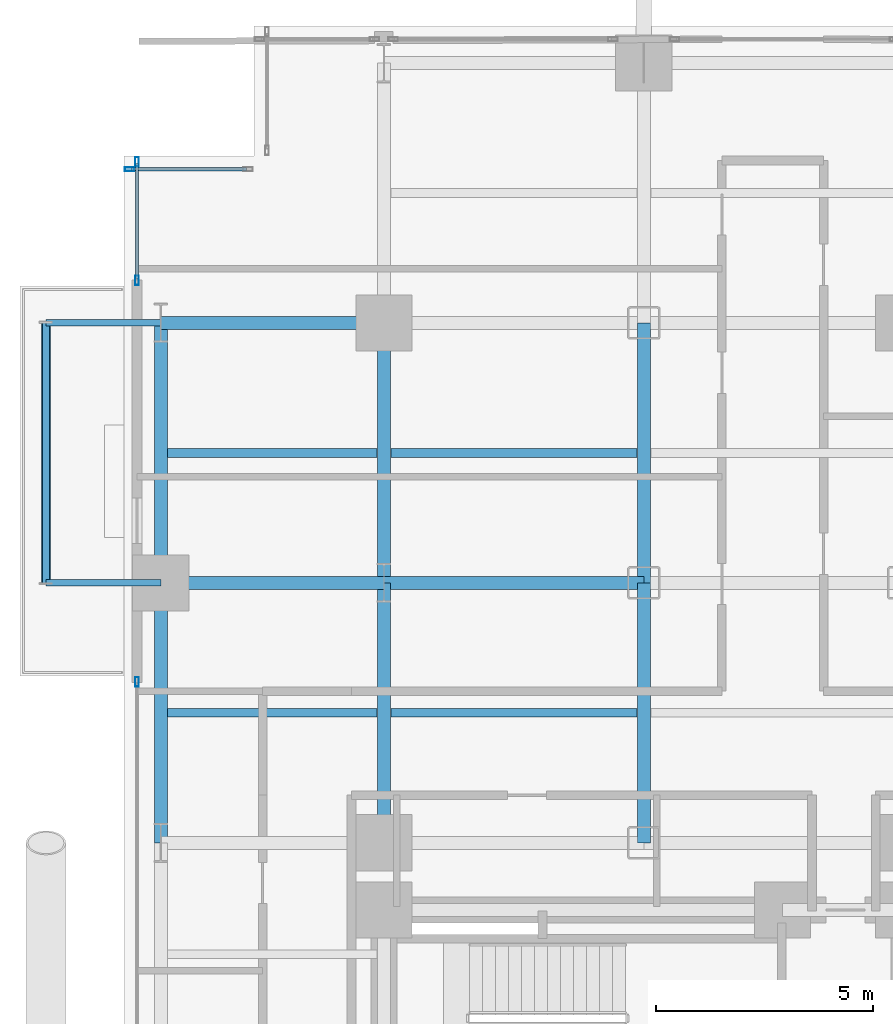
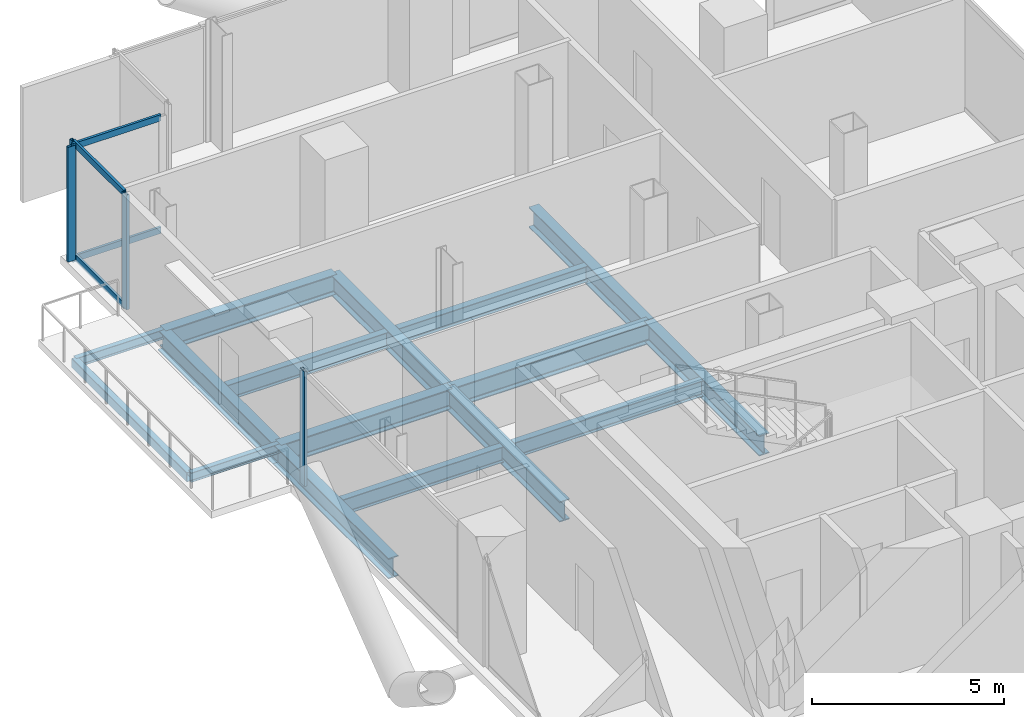
# One storey, part 13 of 27: 16 beams, 8 members, 3 elements without a shape of their own.
"""IFC4 building model written with IfcOpenShell, lengths in metres."""

from ifc_helpers import new_model, si_unit, direction, frame, origin, origin_2d, place, context, subcontext, project, spatial, hollow_rectangle, i_section, extrude, material, layer, layer_set, material_profile, profile_set, type_object, element, aggregate, save


model = new_model("IFC4")

# Units and contexts
model_context = context("Model", 3, precision=1e-05, world=origin(), true_north=direction((0.0, 1.0)))
body_context = subcontext(model_context, "Body", "Model", "MODEL_VIEW")
ifc_project = project(units=[si_unit("LENGTHUNIT", "METRE"), si_unit("AREAUNIT", "SQUARE_METRE"), si_unit("VOLUMEUNIT", "CUBIC_METRE"), si_unit("PLANEANGLEUNIT", "RADIAN"), si_unit("MASSUNIT", "GRAM", prefix="KILO"), si_unit("THERMODYNAMICTEMPERATUREUNIT", "KELVIN"), si_unit("POWERUNIT", "WATT")], contexts=[model_context])

# Site, building, storey
site_placement = place(None, origin())
site = spatial("IfcSite", under=ifc_project, at=site_placement, CompositionType="ELEMENT")
building_placement = place(site_placement, origin())
building = spatial("IfcBuilding", under=site, at=building_placement, Name="Svarakhadi Broadcast Tower", CompositionType="ELEMENT")
storey_placement = place(building_placement, frame((0.0, 0.0, 59.699951171875)))
storey = spatial("IfcBuildingStorey", under=building, at=storey_placement, Name="L13", CompositionType="ELEMENT", Elevation=59.699951171875)

# Beams
ifc_material_1 = material(Name="Steel S355J2 (IS 2062 E350C)", Category="steel")
ifc_material_profile_1 = material_profile(ifc_material_1, i_section(OverallWidth=0.199951171875, OverallDepth=0.5, WebThickness=0.01025390625, FlangeThickness=0.01611328125, FilletRadius=0.02099609375, at=origin_2d()), Name="NPB 500x200x91")
ifc_profile_set_1 = profile_set([ifc_material_profile_1], Name="Steel S355J2 (IS 2062 E350C)")
beam_type_1 = type_object("IfcBeamType", Name="Beam_NPB500", PredefinedType="BEAM", material=ifc_profile_set_1)
for number, where, z_axis, x_axis, name in (
    (1, (1.010009765625, 32.14990234375, -0.5), (1.0, 0.0, 0.0), (0.0, 1.0, 0.0), "L13 Secondary Composite Beam SB005"),
    (2, (1.010009765625, 38.14990234375, -0.5), (1.0, 0.0, 0.0), (0.0, 1.0, 0.0), "L13 Secondary Composite Beam SB006"),
):
    element("IfcBeam", number, at=place(storey_placement, frame(where, z_axis=z_axis, x_axis=x_axis)), inside=storey, type_object=beam_type_1, Name=name, PredefinedType="BEAM", context=body_context, shape_type="SweptSolid", body=[
        extrude(i_section(OverallWidth=0.199951171875, OverallDepth=0.5, WebThickness=0.01025390625, FlangeThickness=0.01611328125, FilletRadius=0.02099609375, at=origin_2d()), origin(), (0.0, 0.0, 1.0), 4.830078125),
    ])
for number, where, z_axis, x_axis, name in (
    (3, (6.159912109375, 32.14990234375, -0.5), (1.0, 0.0, 0.0), (0.0, 1.0, 0.0), "L13 Secondary Composite Beam SB010"),
    (4, (6.159912109375, 38.14990234375, -0.5), (1.0, 0.0, 0.0), (0.0, 1.0, 0.0), "L13 Secondary Composite Beam SB011"),
):
    element("IfcBeam", number, at=place(storey_placement, frame(where, z_axis=z_axis, x_axis=x_axis)), inside=storey, type_object=beam_type_1, Name=name, PredefinedType="BEAM", context=body_context, shape_type="SweptSolid", body=[
        extrude(i_section(OverallWidth=0.199951171875, OverallDepth=0.5, WebThickness=0.01025390625, FlangeThickness=0.01611328125, FilletRadius=0.02099609375, at=origin_2d()), origin(), (0.0, 0.0, 1.0), 5.68017578125),
    ])

# Curtain wall, member
ifc_material_2 = material(Name="Anodised Bronze Aluminium AA 6063-T6", Category="aluminium")
ifc_layer = layer(ifc_material_2, 0.219970703125)
ifc_layer_set = layer_set([ifc_layer], Name="Anodised Bronze Aluminium AA 6063-T6")
curtain_wall_type = type_object("IfcCurtainWallType", Name="CW_Sys_02", PredefinedType="NOTDEFINED", material=ifc_layer_set)
curtain_wall_1_placement = place(storey_placement, origin())
curtain_wall_1 = element("IfcCurtainWall", 5, at=curtain_wall_1_placement, inside=storey, type_object=curtain_wall_type, Name="L13 West Curtain Wall 02 Bay 3", PredefinedType="NOTDEFINED")
ifc_material_profile_2 = material_profile(ifc_material_2, hollow_rectangle(XDim=0.0849609375, YDim=0.219970703125, WallThickness=0.006103515625, at=origin_2d()), Name="ALU MULLION 220x85x6")
ifc_profile_set_2 = profile_set([ifc_material_profile_2], Name="Anodised Bronze Aluminium AA 6063-T6")
member_type_1 = type_object("IfcMemberType", Name="CW_Sys_02_Mul", PredefinedType="MULLION", material=ifc_profile_set_2)
member_1_placement = place(storey_placement, frame((0.300048828125, 32.867431640625, 0.0), z_axis=(0.0, 0.0, 1.0), x_axis=(-1.0, 0.0, 0.0)))
member_1 = element("IfcMember", 6, at=member_1_placement, type_object=member_type_1, Name="CW-02 mullion 2", PredefinedType="MULLION", context=body_context, shape_type="SweptSolid", body=[
    extrude(hollow_rectangle(XDim=0.0849609375, YDim=0.219970703125, WallThickness=0.006103515625, at=origin_2d()), origin(), (0.0, 0.0, 1.0), 3.650146484375),
])
aggregate(curtain_wall_1, [member_1])

# Curtain wall, members
curtain_wall_2_placement = place(storey_placement, origin())
curtain_wall_2 = element("IfcCurtainWall", 7, at=curtain_wall_2_placement, inside=storey, type_object=curtain_wall_type, Name="L13 West Curtain Wall 03", PredefinedType="NOTDEFINED")
member_2_placement = place(storey_placement, frame((0.300048828125, 42.132568359375, 0.0), z_axis=(0.0, 0.0, 1.0), x_axis=(-1.0, 0.0, 0.0)))
member_2 = element("IfcMember", 8, at=member_2_placement, type_object=member_type_1, Name="CW-02 mullion 1", PredefinedType="MULLION", context=body_context, shape_type="SweptSolid", body=[
    extrude(hollow_rectangle(XDim=0.0849609375, YDim=0.219970703125, WallThickness=0.006103515625, at=origin_2d()), origin(), (0.0, 0.0, 1.0), 3.650146484375),
])
member_3_placement = place(storey_placement, frame((0.300048828125, 44.867431640625, 0.0), z_axis=(0.0, 0.0, 1.0), x_axis=(-1.0, 0.0, 0.0)))
member_3 = element("IfcMember", 9, at=member_3_placement, type_object=member_type_1, Name="CW-02 mullion 2", PredefinedType="MULLION", context=body_context, shape_type="SweptSolid", body=[
    extrude(hollow_rectangle(XDim=0.0849609375, YDim=0.219970703125, WallThickness=0.006103515625, at=origin_2d()), origin(), (0.0, 0.0, 1.0), 3.650146484375),
])

# Curtain wall, member
curtain_wall_3_placement = place(storey_placement, origin())
curtain_wall_3 = element("IfcCurtainWall", 10, at=curtain_wall_3_placement, inside=storey, type_object=curtain_wall_type, Name="L13 Unitised Facade Curtain Wall 04", PredefinedType="NOTDEFINED")
member_4_placement = place(storey_placement, frame((0.132568359375, 44.699951171875, 0.0), z_axis=(0.0, 0.0, 1.0), x_axis=(0.0, 1.0, 0.0)))
member_4 = element("IfcMember", 11, at=member_4_placement, type_object=member_type_1, Name="CW-02 mullion 1", PredefinedType="MULLION", context=body_context, shape_type="SweptSolid", body=[
    extrude(hollow_rectangle(XDim=0.0849609375, YDim=0.219970703125, WallThickness=0.006103515625, at=origin_2d()), origin(), (0.0, 0.0, 1.0), 3.650146484375),
])

# Member
ifc_material_profile_3 = material_profile(ifc_material_2, hollow_rectangle(XDim=0.074951171875, YDim=0.199951171875, WallThickness=0.0048828125, at=origin_2d()), Name="ALU TRANSOM 200x75x5")
ifc_profile_set_3 = profile_set([ifc_material_profile_3], Name="Anodised Bronze Aluminium AA 6063-T6")
member_type_2 = type_object("IfcMemberType", Name="CW_Sys_02_Trn", PredefinedType="USERDEFINED", material=ifc_profile_set_3)
member_5_placement = place(storey_placement, frame((0.300048828125, 42.175048828125, 0.03759765625), z_axis=(0.0, 1.0, 0.0), x_axis=(-1.0, 0.0, 0.0)))
member_5 = element("IfcMember", 12, at=member_5_placement, type_object=member_type_2, Name="CW-02 transom 1.1", ObjectType="TRANSOM", PredefinedType="USERDEFINED", context=body_context, shape_type="SweptSolid", body=[
    extrude(hollow_rectangle(XDim=0.074951171875, YDim=0.199951171875, WallThickness=0.0048828125, at=origin_2d()), origin(), (0.0, 0.0, 1.0), 2.64990234375),
])

member_6_placement = place(storey_placement, frame((0.300048828125, 42.175048828125, 3.612548828125), z_axis=(0.0, 1.0, 0.0), x_axis=(-1.0, 0.0, 0.0)))
member_6 = element("IfcMember", 13, at=member_6_placement, type_object=member_type_2, Name="CW-02 transom 1.2", ObjectType="TRANSOM", PredefinedType="USERDEFINED", context=body_context, shape_type="SweptSolid", body=[
    extrude(hollow_rectangle(XDim=0.074951171875, YDim=0.199951171875, WallThickness=0.0048828125, at=origin_2d()), origin(), (0.0, 0.0, 1.0), 2.64990234375),
])

aggregate(curtain_wall_2, [member_2, member_3, member_5, member_6])

member_7_placement = place(storey_placement, frame((0.175048828125, 44.699951171875, 0.03759765625), z_axis=(1.0, 0.0, 0.0), x_axis=(0.0, 1.0, 0.0)))
member_7 = element("IfcMember", 14, at=member_7_placement, type_object=member_type_2, Name="CW-02 transom 1.1", ObjectType="TRANSOM", PredefinedType="USERDEFINED", context=body_context, shape_type="SweptSolid", body=[
    extrude(hollow_rectangle(XDim=0.074951171875, YDim=0.199951171875, WallThickness=0.0048828125, at=origin_2d()), origin(), (0.0, 0.0, 1.0), 2.64990234375),
])

member_8_placement = place(storey_placement, frame((0.175048828125, 44.699951171875, 3.612548828125), z_axis=(1.0, 0.0, 0.0), x_axis=(0.0, 1.0, 0.0)))
member_8 = element("IfcMember", 15, at=member_8_placement, type_object=member_type_2, Name="CW-02 transom 1.2", ObjectType="TRANSOM", PredefinedType="USERDEFINED", context=body_context, shape_type="SweptSolid", body=[
    extrude(hollow_rectangle(XDim=0.074951171875, YDim=0.199951171875, WallThickness=0.0048828125, at=origin_2d()), origin(), (0.0, 0.0, 1.0), 2.64990234375),
])

aggregate(curtain_wall_3, [member_4, member_7, member_8])

# Beams
ifc_material_profile_4 = material_profile(ifc_material_1, i_section(OverallWidth=0.300048828125, OverallDepth=0.64990234375, WebThickness=0.01611328125, FlangeThickness=0.031005859375, FilletRadius=0.027099609375, at=origin_2d()), Name="WPB 650x300x225")
ifc_profile_set_4 = profile_set([ifc_material_profile_4], Name="Steel S355J2 (IS 2062 E350C)")
beam_type_2 = type_object("IfcBeamType", Name="Girder_WPB650", PredefinedType="USERDEFINED", material=ifc_profile_set_4)
beam_1_placement = place(storey_placement, frame((0.85009765625, 35.14990234375, -0.574951171875), z_axis=(1.0, 0.0, 0.0), x_axis=(0.0, 1.0, 0.0)))
element("IfcBeam", 16, at=beam_1_placement, inside=storey, type_object=beam_type_2, Name="L13 Primary E-W Girder G037", ObjectType="GIRDER", PredefinedType="USERDEFINED", context=body_context, shape_type="SweptSolid", body=[
    extrude(i_section(OverallWidth=0.300048828125, OverallDepth=0.64990234375, WebThickness=0.01611328125, FlangeThickness=0.031005859375, FilletRadius=0.027099609375, at=origin_2d()), origin(), (0.0, 0.0, 1.0), 5.14990234375),
])
beam_2_placement = place(storey_placement, frame((6.0, 35.14990234375, -0.574951171875), z_axis=(1.0, 0.0, 0.0), x_axis=(0.0, 1.0, 0.0)))
element("IfcBeam", 17, at=beam_2_placement, inside=storey, type_object=beam_type_2, Name="L13 Primary E-W Girder G038", ObjectType="GIRDER", PredefinedType="USERDEFINED", context=body_context, shape_type="SweptSolid", body=[
    extrude(i_section(OverallWidth=0.300048828125, OverallDepth=0.64990234375, WebThickness=0.01611328125, FlangeThickness=0.031005859375, FilletRadius=0.027099609375, at=origin_2d()), origin(), (0.0, 0.0, 1.0), 6.0),
])
beam_3_placement = place(storey_placement, frame((0.85009765625, 41.14990234375, -0.574951171875), z_axis=(1.0, 0.0, 0.0), x_axis=(0.0, 1.0, 0.0)))
element("IfcBeam", 18, at=beam_3_placement, inside=storey, type_object=beam_type_2, Name="L13 Primary E-W Girder G040", ObjectType="GIRDER", PredefinedType="USERDEFINED", context=body_context, shape_type="SweptSolid", body=[
    extrude(i_section(OverallWidth=0.300048828125, OverallDepth=0.64990234375, WebThickness=0.01611328125, FlangeThickness=0.031005859375, FilletRadius=0.027099609375, at=origin_2d()), origin(), (0.0, 0.0, 1.0), 5.14990234375),
])
for number, where, z_axis, x_axis, name in (
    (19, (0.85009765625, 29.14990234375, -0.574951171875), (0.0, 1.0, 0.0), (-1.0, 0.0, 0.0), "L13 Primary N-S Girder G049"),
    (20, (0.85009765625, 35.14990234375, -0.574951171875), (0.0, 1.0, 0.0), (-1.0, 0.0, 0.0), "L13 Primary N-S Girder G050"),
    (21, (6.0, 29.14990234375, -0.574951171875), (0.0, 1.0, 0.0), (-1.0, 0.0, 0.0), "L13 Primary N-S Girder G055"),
    (22, (6.0, 35.14990234375, -0.574951171875), (0.0, 1.0, 0.0), (-1.0, 0.0, 0.0), "L13 Primary N-S Girder G056"),
    (23, (12.0, 29.14990234375, -0.574951171875), (0.0, 1.0, 0.0), (-1.0, 0.0, 0.0), "L13 Primary N-S Girder G061"),
    (24, (12.0, 35.14990234375, -0.574951171875), (0.0, 1.0, 0.0), (-1.0, 0.0, 0.0), "L13 Primary N-S Girder G062"),
):
    element("IfcBeam", number, at=place(storey_placement, frame(where, z_axis=z_axis, x_axis=x_axis)), inside=storey, type_object=beam_type_2, Name=name, ObjectType="GIRDER", PredefinedType="USERDEFINED", context=body_context, shape_type="SweptSolid", body=[
        extrude(i_section(OverallWidth=0.300048828125, OverallDepth=0.64990234375, WebThickness=0.01611328125, FlangeThickness=0.031005859375, FilletRadius=0.027099609375, at=origin_2d()), origin(), (0.0, 0.0, 1.0), 6.0),
    ])
ifc_material_profile_5 = material_profile(ifc_material_1, i_section(OverallWidth=0.14990234375, OverallDepth=0.300048828125, WebThickness=0.007080078125, FlangeThickness=0.0107421875, FilletRadius=0.014892578125, at=origin_2d()), Name="NPB 300x150x37")
ifc_profile_set_5 = profile_set([ifc_material_profile_5], Name="Steel S355J2 (IS 2062 E350C)")
beam_type_3 = type_object("IfcBeamType", Name="Spandrel_NPB300", PredefinedType="SPANDREL", material=ifc_profile_set_5)
for number, where, z_axis, x_axis, name in (
    (25, (0.85009765625, 35.14990234375, -0.39990234375), (-1.0, 0.0, 0.0), (0.0, -1.0, 0.0), "L13 Balcony Cantilever Bracket 2A"),
    (26, (0.85009765625, 41.14990234375, -0.39990234375), (-1.0, 0.0, 0.0), (0.0, -1.0, 0.0), "L13 Balcony Cantilever Bracket 2B"),
):
    element("IfcBeam", number, at=place(storey_placement, frame(where, z_axis=z_axis, x_axis=x_axis)), inside=storey, type_object=beam_type_3, Name=name, PredefinedType="SPANDREL", context=body_context, shape_type="SweptSolid", body=[
        extrude(i_section(OverallWidth=0.14990234375, OverallDepth=0.300048828125, WebThickness=0.007080078125, FlangeThickness=0.0107421875, FilletRadius=0.014892578125, at=origin_2d()), origin(), (0.0, 0.0, 1.0), 2.650146484375),
    ])
ifc_material_3 = material(Name="Steel S460ML (IS 2062 E450BR)", Category="steel")
ifc_material_profile_6 = material_profile(ifc_material_3, hollow_rectangle(XDim=0.199951171875, YDim=0.300048828125, WallThickness=0.012451171875, InnerFilletRadius=0.012451171875, OuterFilletRadius=0.02490234375, at=origin_2d()), Name="RHS 300x200x12.5")
ifc_profile_set_6 = profile_set([ifc_material_profile_6], Name="Steel S460ML (IS 2062 E450BR)")
beam_type_4 = type_object("IfcBeamType", Name="Spandrel_RHS300", PredefinedType="SPANDREL", material=ifc_profile_set_6)
beam_4_placement = place(storey_placement, frame((-1.800048828125, 35.14990234375, -0.39990234375), z_axis=(0.0, 1.0, 0.0), x_axis=(-1.0, 0.0, 0.0)))
element("IfcBeam", 27, at=beam_4_placement, inside=storey, type_object=beam_type_4, Name="L13 Balcony Outer Spandrel 2F", PredefinedType="SPANDREL", context=body_context, shape_type="SweptSolid", body=[
    extrude(hollow_rectangle(XDim=0.199951171875, YDim=0.300048828125, WallThickness=0.012451171875, InnerFilletRadius=0.012451171875, OuterFilletRadius=0.02490234375, at=origin_2d()), origin(), (0.0, 0.0, 1.0), 6.0),
])

save(model, "model.ifc")
